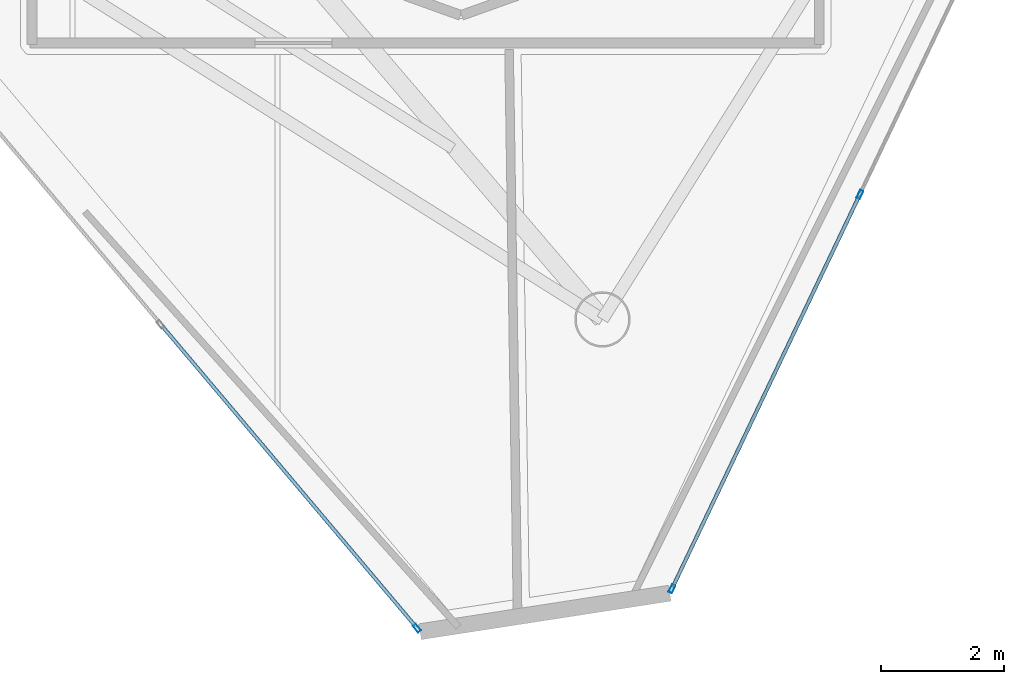
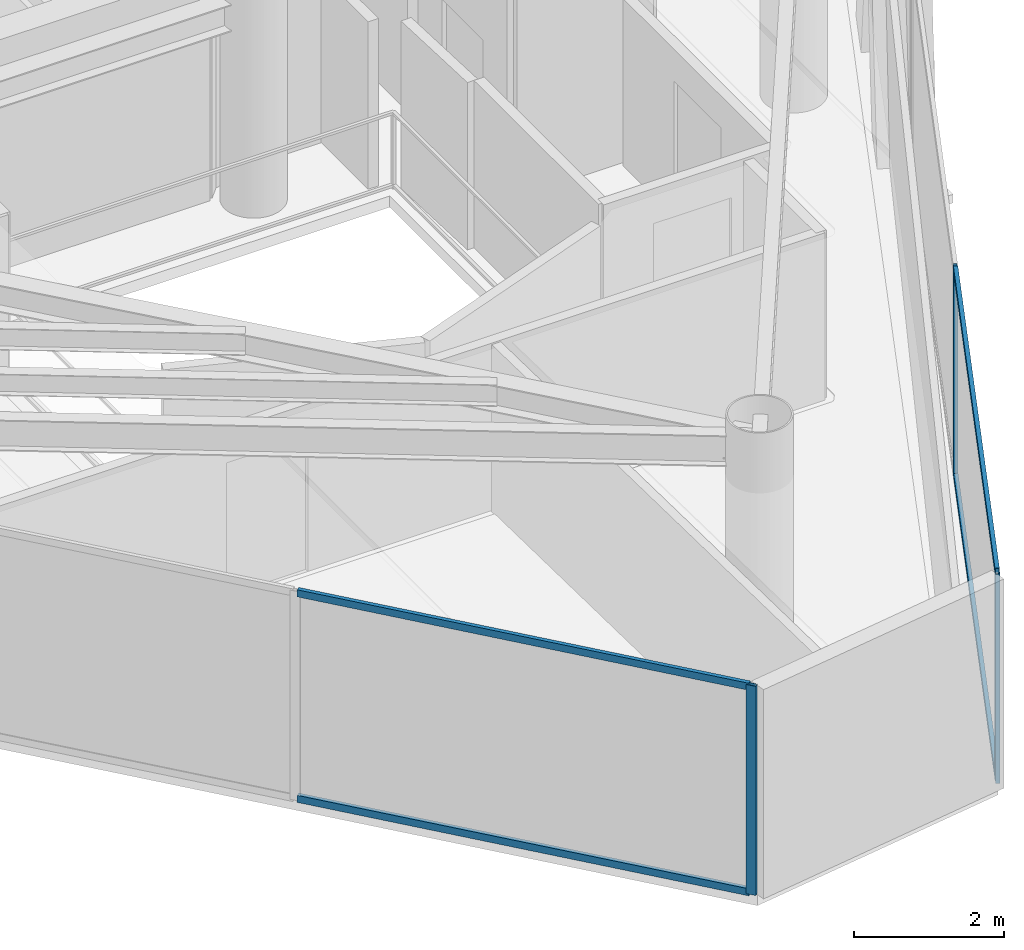
# One storey, part 4 of 20: 7 members, 2 elements without a shape of their own.
"""IFC4 building model written with IfcOpenShell, lengths in metres."""

from ifc_helpers import new_model, si_unit, direction, frame, origin, origin_2d, place, context, subcontext, project, spatial, hollow_rectangle, extrude, material, layer, layer_set, material_profile, profile_set, type_object, element, aggregate, save


model = new_model("IFC4")

# Units and contexts
model_context = context("Model", 3, precision=1e-05, world=origin(), true_north=direction((0.0, 1.0)))
body_context = subcontext(model_context, "Body", "Model", "MODEL_VIEW")
ifc_project = project(units=[si_unit("LENGTHUNIT", "METRE"), si_unit("AREAUNIT", "SQUARE_METRE"), si_unit("VOLUMEUNIT", "CUBIC_METRE"), si_unit("PLANEANGLEUNIT", "RADIAN"), si_unit("MASSUNIT", "GRAM", prefix="KILO")], contexts=[model_context])

# Site, building, storey
site_placement = place(None, origin())
site = spatial("IfcSite", under=ifc_project, at=site_placement, CompositionType="ELEMENT")
building_placement = place(site_placement, origin())
building = spatial("IfcBuilding", under=site, at=building_placement, Name="Qianvela Tower", CompositionType="ELEMENT")
storey_placement = place(building_placement, frame((0.0, 0.0, 317.60009765625)))
storey = spatial("IfcBuildingStorey", under=building, at=storey_placement, Name="L82", CompositionType="ELEMENT", Elevation=317.60009765625)

# Curtain wall, member
ifc_material_1 = material(Name="Anodised Architectural Aluminium and Low-E Glass", Category="aluminium")
ifc_layer = layer(ifc_material_1, 0.14990234375)
ifc_layer_set = layer_set([ifc_layer], Name="Anodised Architectural Aluminium and Low-E Glass")
curtain_wall_type = type_object("IfcCurtainWallType", Name="CW-COLIV-Z78", PredefinedType="USERDEFINED", material=ifc_layer_set)
curtain_wall_1_placement = place(storey_placement, origin())
curtain_wall_1 = element("IfcCurtainWall", 1, at=curtain_wall_1_placement, inside=storey, type_object=curtain_wall_type, Name="L82 CW-COLIV-Z78 Curtain Wall 04C", ObjectType="CURTAIN_WALL_SYSTEM", PredefinedType="USERDEFINED")
ifc_material_2 = material(Name="Anodised Architectural Aluminium 6063-T6", Category="aluminium")
ifc_material_profile_1 = material_profile(ifc_material_2, hollow_rectangle(XDim=0.06005859375, YDim=0.139892578125, WallThickness=0.00439453125, at=origin_2d()), Name="ALU-MULL-60x140")
ifc_profile_set_1 = profile_set([ifc_material_profile_1], Name="Anodised Architectural Aluminium 6063-T6")
member_type_1 = type_object("IfcMemberType", Name="CW-COLIV-Z78-MULL", PredefinedType="MULLION", material=ifc_profile_set_1)
member_1_placement = place(storey_placement, frame((36.08251953125, 6.57421875, 0.0), z_axis=(0.0, 0.0, 1.0), x_axis=(0.764244670184, 0.644926417582, 0.0)))
member_1 = element("IfcMember", 2, at=member_1_placement, type_object=member_type_1, Name="CW-6 mullion 3", PredefinedType="MULLION", context=body_context, shape_type="SweptSolid", body=[
    extrude(hollow_rectangle(XDim=0.06005859375, YDim=0.139892578125, WallThickness=0.00439453125, at=origin_2d()), origin(), (0.0, 0.0, 1.0), 3.39990234375),
])

# Curtain wall, members
curtain_wall_2_placement = place(storey_placement, origin())
curtain_wall_2 = element("IfcCurtainWall", 3, at=curtain_wall_2_placement, inside=storey, type_object=curtain_wall_type, Name="L82 CW-COLIV-Z78 Curtain Wall 06A", ObjectType="CURTAIN_WALL_SYSTEM", PredefinedType="USERDEFINED")
member_2_placement = place(storey_placement, frame((40.225830078125, 7.211669921875, 0.0), z_axis=(0.0, 0.0, 1.0), x_axis=(-0.902682863885, 0.430306457362, 0.0)))
member_2 = element("IfcMember", 4, at=member_2_placement, type_object=member_type_1, Name="CW-6 mullion 1", PredefinedType="MULLION", context=body_context, shape_type="SweptSolid", body=[
    extrude(hollow_rectangle(XDim=0.06005859375, YDim=0.139892578125, WallThickness=0.00439453125, at=origin_2d()), origin(), (0.0, 0.0, 1.0), 3.39990234375),
])
member_3_placement = place(storey_placement, frame((43.27880859375, 13.6162109375, 0.0), z_axis=(0.0, 0.0, 1.0), x_axis=(-0.902682863885, 0.430306457362, 0.0)))
member_3 = element("IfcMember", 5, at=member_3_placement, type_object=member_type_1, Name="CW-6 mullion 2", PredefinedType="MULLION", context=body_context, shape_type="SweptSolid", body=[
    extrude(hollow_rectangle(XDim=0.06005859375, YDim=0.139892578125, WallThickness=0.00439453125, at=origin_2d()), origin(), (0.0, 0.0, 1.0), 3.39990234375),
])

# Member
ifc_material_3 = material(Name="Anodised Architectural Aluminium 6063-T6", Category="aluminium")
ifc_material_profile_2 = material_profile(ifc_material_3, hollow_rectangle(XDim=0.06005859375, YDim=0.114990234375, WallThickness=0.00390625, at=origin_2d()), Name="ALU-TRAN-60x115")
ifc_profile_set_2 = profile_set([ifc_material_profile_2], Name="Anodised Architectural Aluminium 6063-T6")
member_type_2 = type_object("IfcMemberType", Name="CW-COLIV-Z78-TRAN", PredefinedType="USERDEFINED", material=ifc_profile_set_2)
member_4_placement = place(storey_placement, frame((31.94091796875, 11.482177734375, 0.02978515625), z_axis=(0.644924624315, -0.764246183472, 0.0), x_axis=(0.764246183472, 0.644924624315, 0.0)))
member_4 = element("IfcMember", 6, at=member_4_placement, type_object=member_type_2, Name="CW-6 transom 2.1", ObjectType="TRANSOM", PredefinedType="USERDEFINED", context=body_context, shape_type="SweptSolid", body=[
    extrude(hollow_rectangle(XDim=0.06005859375, YDim=0.114990234375, WallThickness=0.00390625, at=origin_2d()), origin(), (0.0, 0.0, 1.0), 6.391845703125),
])

member_5_placement = place(storey_placement, frame((31.94091796875, 11.482177734375, 3.369873046875), z_axis=(0.644924624315, -0.764246183472, 0.0), x_axis=(0.764246183472, 0.644924624315, 0.0)))
member_5 = element("IfcMember", 7, at=member_5_placement, type_object=member_type_2, Name="CW-6 transom 2.2", ObjectType="TRANSOM", PredefinedType="USERDEFINED", context=body_context, shape_type="SweptSolid", body=[
    extrude(hollow_rectangle(XDim=0.06005859375, YDim=0.114990234375, WallThickness=0.00390625, at=origin_2d()), origin(), (0.0, 0.0, 1.0), 6.391845703125),
])

aggregate(curtain_wall_1, [member_1, member_4, member_5])

member_6_placement = place(storey_placement, frame((40.238525390625, 7.23876953125, 0.02978515625), z_axis=(0.430324195795, 0.902674407809, 0.0), x_axis=(-0.902674407809, 0.430324195795, 0.0)))
member_6 = element("IfcMember", 8, at=member_6_placement, type_object=member_type_2, Name="CW-6 transom 1.1", ObjectType="TRANSOM", PredefinedType="USERDEFINED", context=body_context, shape_type="SweptSolid", body=[
    extrude(hollow_rectangle(XDim=0.06005859375, YDim=0.114990234375, WallThickness=0.00390625, at=origin_2d()), origin(), (0.0, 0.0, 1.0), 7.034912109375),
])

member_7_placement = place(storey_placement, frame((40.238525390625, 7.23876953125, 3.369873046875), z_axis=(0.430324195795, 0.902674407809, 0.0), x_axis=(-0.902674407809, 0.430324195795, 0.0)))
member_7 = element("IfcMember", 9, at=member_7_placement, type_object=member_type_2, Name="CW-6 transom 1.2", ObjectType="TRANSOM", PredefinedType="USERDEFINED", context=body_context, shape_type="SweptSolid", body=[
    extrude(hollow_rectangle(XDim=0.06005859375, YDim=0.114990234375, WallThickness=0.00390625, at=origin_2d()), origin(), (0.0, 0.0, 1.0), 7.034912109375),
])

aggregate(curtain_wall_2, [member_2, member_3, member_6, member_7])

save(model, "model.ifc")
